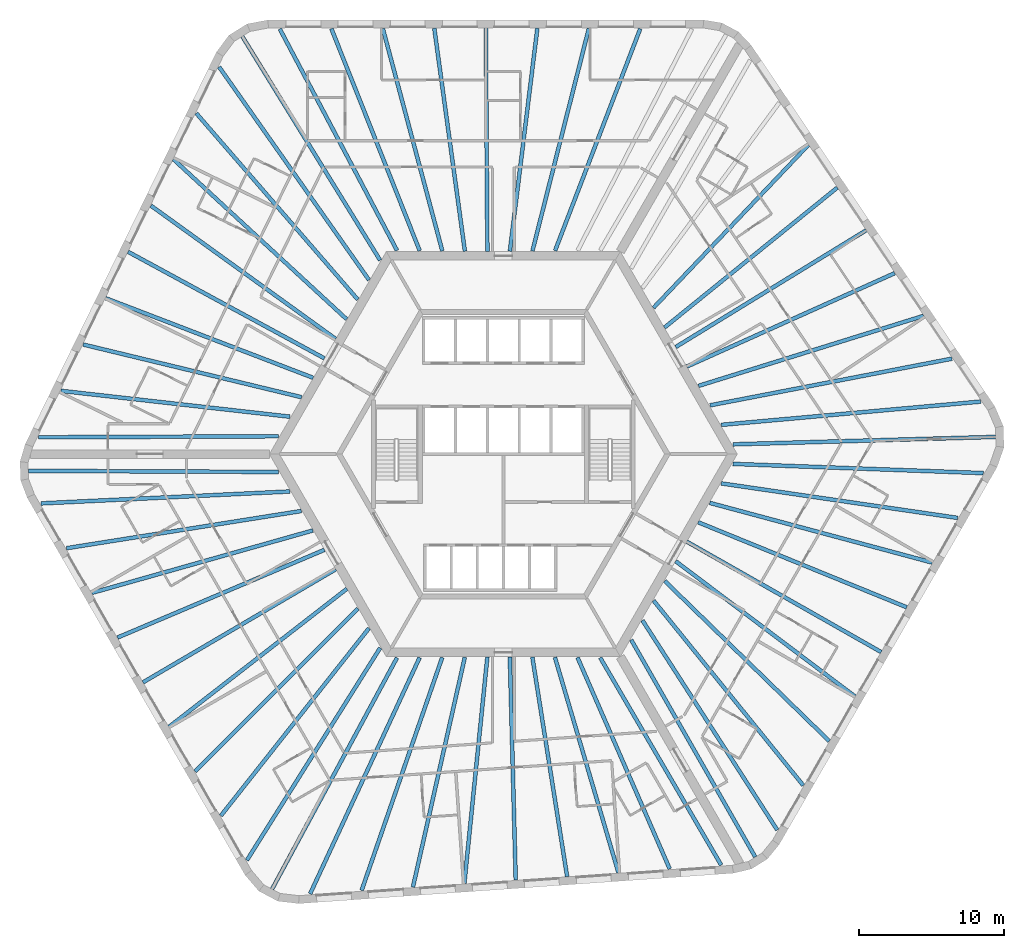
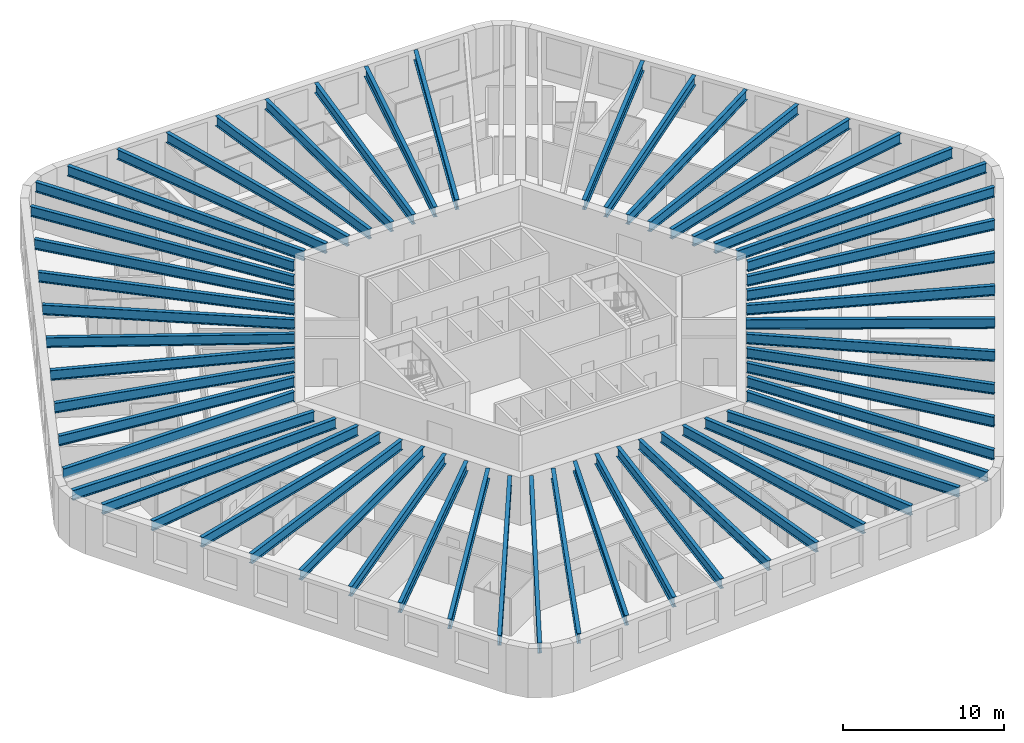
# One storey, part 1 of 12: 56 beams.
"""IFC4 building model written with IfcOpenShell, lengths in metres."""

from ifc_helpers import new_model, si_unit, direction, frame, origin, origin_2d, place, context, subcontext, project, spatial, i_section, extrude, material, material_profile, profile_set, type_object, element, save


model = new_model("IFC4")

# Units and contexts
model_context = context("Model", 3, precision=1e-05, world=origin(), true_north=direction((0.0, 1.0)))
body_context = subcontext(model_context, "Body", "Model", "MODEL_VIEW")
ifc_project = project(units=[si_unit("LENGTHUNIT", "METRE"), si_unit("AREAUNIT", "SQUARE_METRE"), si_unit("VOLUMEUNIT", "CUBIC_METRE"), si_unit("PLANEANGLEUNIT", "RADIAN"), si_unit("MASSUNIT", "GRAM", prefix="KILO")], contexts=[model_context])

# Site, building, storey
site_placement = place(None, origin())
site = spatial("IfcSite", under=ifc_project, at=site_placement, CompositionType="ELEMENT")
building_placement = place(site_placement, origin())
building = spatial("IfcBuilding", under=site, at=building_placement, Name="Tarnside Tower", CompositionType="ELEMENT")
storey_placement = place(building_placement, frame((0.0, 0.0, 142.800048828125)))
storey = spatial("IfcBuildingStorey", under=building, at=storey_placement, Name="L33", CompositionType="ELEMENT", Elevation=142.800048828125)

# Beams
ifc_material = material(Name="Steel S355", Category="steel")
ifc_material_profile_1 = material_profile(ifc_material, i_section(OverallWidth=0.26513671875, OverallDepth=0.75390625, WebThickness=0.0126953125, FlangeThickness=0.017578125, FilletRadius=0.0166015625, at=origin_2d()), Name="UB 762x267x147")
ifc_profile_set_1 = profile_set([ifc_material_profile_1], Name="Steel S355")
beam_type_1 = type_object("IfcBeamType", Name="Floor beam UB 762x267x147", PredefinedType="BEAM", material=ifc_profile_set_1)
beam_1_placement = place(storey_placement, frame((2.3525390625, 29.43017578125, 3.222900390625), z_axis=(-0.122329629165, -0.992489527314, 0.0), x_axis=(0.992489527314, -0.122329629165, 0.0)))
element("IfcBeam", 1, at=beam_1_placement, inside=storey, type_object=beam_type_1, Name="Floor beam F1.04", PredefinedType="BEAM", context=body_context, shape_type="SweptSolid", body=[
    extrude(i_section(OverallWidth=0.26513671875, OverallDepth=0.75390625, WebThickness=0.0126953125, FlangeThickness=0.017578125, FilletRadius=0.0166015625, at=origin_2d()), origin(), (0.0, 0.0, 1.0), 15.527099609375),
])
beam_2_placement = place(storey_placement, frame((-1.208984375, 29.449951171875, 3.222900390625), z_axis=(0.007000128723, -0.999975498799, 0.0), x_axis=(0.999975498799, 0.007000128723, 0.0)))
element("IfcBeam", 2, at=beam_2_placement, inside=storey, type_object=beam_type_1, Name="Floor beam F1.05", PredefinedType="BEAM", context=body_context, shape_type="SweptSolid", body=[
    extrude(i_section(OverallWidth=0.26513671875, OverallDepth=0.75390625, WebThickness=0.0126953125, FlangeThickness=0.017578125, FilletRadius=0.0166015625, at=origin_2d()), origin(), (0.0, 0.0, 1.0), 15.450439453125),
])
beam_3_placement = place(storey_placement, frame((-4.7705078125, 29.43017578125, 3.222900390625), z_axis=(0.136000560933, -0.990708760144, 0.0), x_axis=(0.990708760144, 0.136000560933, 0.0)))
element("IfcBeam", 3, at=beam_3_placement, inside=storey, type_object=beam_type_1, Name="Floor beam F1.06", PredefinedType="BEAM", context=body_context, shape_type="SweptSolid", body=[
    extrude(i_section(OverallWidth=0.26513671875, OverallDepth=0.75390625, WebThickness=0.0126953125, FlangeThickness=0.017578125, FilletRadius=0.0166015625, at=origin_2d()), origin(), (0.0, 0.0, 1.0), 15.554931640625),
])
beam_4_placement = place(storey_placement, frame((-24.348876953125, 17.168212890625, 3.222900390625), z_axis=(0.811027744825, -0.585007689799, 0.0), x_axis=(0.585007689799, 0.811027744825, 0.0)))
element("IfcBeam", 4, at=beam_4_placement, inside=storey, type_object=beam_type_1, Name="Floor beam F2.04", PredefinedType="BEAM", context=body_context, shape_type="SweptSolid", body=[
    extrude(i_section(OverallWidth=0.26513671875, OverallDepth=0.75390625, WebThickness=0.0126953125, FlangeThickness=0.017578125, FilletRadius=0.0166015625, at=origin_2d()), origin(), (0.0, 0.0, 1.0), 15.731689453125),
])
beam_5_placement = place(storey_placement, frame((-25.92626953125, 13.978271484375, 3.222900390625), z_axis=(0.878894567679, -0.477016078245, 0.0), x_axis=(0.477016078245, 0.878894567679, 0.0)))
element("IfcBeam", 5, at=beam_5_placement, inside=storey, type_object=beam_type_1, Name="Floor beam F2.05", PredefinedType="BEAM", context=body_context, shape_type="SweptSolid", body=[
    extrude(i_section(OverallWidth=0.26513671875, OverallDepth=0.75390625, WebThickness=0.0126953125, FlangeThickness=0.017578125, FilletRadius=0.0166015625, at=origin_2d()), origin(), (0.0, 0.0, 1.0), 15.427490234375),
])
beam_6_placement = place(storey_placement, frame((-27.487548828125, 10.77734375, 3.222900390625), z_axis=(0.933617702452, -0.358270827264, 0.0), x_axis=(0.358270827264, 0.933617702452, 0.0)))
element("IfcBeam", 6, at=beam_6_placement, inside=storey, type_object=beam_type_1, Name="Floor beam F2.06", PredefinedType="BEAM", context=body_context, shape_type="SweptSolid", body=[
    extrude(i_section(OverallWidth=0.26513671875, OverallDepth=0.75390625, WebThickness=0.0126953125, FlangeThickness=0.017578125, FilletRadius=0.0166015625, at=origin_2d()), origin(), (0.0, 0.0, 1.0), 15.363037109375),
])
beam_7_placement = place(storey_placement, frame((-29.029296875, 7.572509765625, 3.222900390625), z_axis=(0.972101750991, -0.234559556873, 0.0), x_axis=(0.234559556873, 0.972101750991, 0.0)))
element("IfcBeam", 7, at=beam_7_placement, inside=storey, type_object=beam_type_1, Name="Floor beam F2.07", PredefinedType="BEAM", context=body_context, shape_type="SweptSolid", body=[
    extrude(i_section(OverallWidth=0.26513671875, OverallDepth=0.75390625, WebThickness=0.0126953125, FlangeThickness=0.017578125, FilletRadius=0.0166015625, at=origin_2d()), origin(), (0.0, 0.0, 1.0), 15.522216796875),
])
beam_8_placement = place(storey_placement, frame((-26.66357421875, -12.677734375, 3.222900390625), z_axis=(0.920684021494, 0.390308765679, 0.0), x_axis=(-0.390308765679, 0.920684021494, 0.0)))
element("IfcBeam", 8, at=beam_8_placement, inside=storey, type_object=beam_type_1, Name="Floor beam F3.04", PredefinedType="BEAM", context=body_context, shape_type="SweptSolid", body=[
    extrude(i_section(OverallWidth=0.26513671875, OverallDepth=0.75390625, WebThickness=0.0126953125, FlangeThickness=0.017578125, FilletRadius=0.0166015625, at=origin_2d()), origin(), (0.0, 0.0, 1.0), 15.52685546875),
])
beam_9_placement = place(storey_placement, frame((-24.89990234375, -15.772216796875, 3.222900390625), z_axis=(0.862497502004, 0.506061319443, 0.0), x_axis=(-0.506061319443, 0.862497502004, 0.0)))
element("IfcBeam", 9, at=beam_9_placement, inside=storey, type_object=beam_type_1, Name="Floor beam F3.05", PredefinedType="BEAM", context=body_context, shape_type="SweptSolid", body=[
    extrude(i_section(OverallWidth=0.26513671875, OverallDepth=0.75390625, WebThickness=0.0126953125, FlangeThickness=0.017578125, FilletRadius=0.0166015625, at=origin_2d()), origin(), (0.0, 0.0, 1.0), 15.450439453125),
])
beam_10_placement = place(storey_placement, frame((-23.10205078125, -18.846435546875, 3.222900390625), z_axis=(0.789983963813, 0.613127504617, 0.0), x_axis=(-0.613127504617, 0.789983963813, 0.0)))
element("IfcBeam", 10, at=beam_10_placement, inside=storey, type_object=beam_type_1, Name="Floor beam F3.06", PredefinedType="BEAM", context=body_context, shape_type="SweptSolid", body=[
    extrude(i_section(OverallWidth=0.26513671875, OverallDepth=0.75390625, WebThickness=0.0126953125, FlangeThickness=0.017578125, FilletRadius=0.0166015625, at=origin_2d()), origin(), (0.0, 0.0, 1.0), 15.554931640625),
])
beam_11_placement = place(storey_placement, frame((-2.693603515625, -29.6708984375, 3.222900390625), z_axis=(0.101123115756, 0.994873919379, 0.0), x_axis=(-0.994873919379, 0.101123115756, 0.0)))
element("IfcBeam", 11, at=beam_11_placement, inside=storey, type_object=beam_type_1, Name="Floor beam F4.04", PredefinedType="BEAM", context=body_context, shape_type="SweptSolid", body=[
    extrude(i_section(OverallWidth=0.26513671875, OverallDepth=0.75390625, WebThickness=0.0126953125, FlangeThickness=0.017578125, FilletRadius=0.0166015625, at=origin_2d()), origin(), (0.0, 0.0, 1.0), 15.7314453125),
])
beam_12_placement = place(storey_placement, frame((0.857666015625, -29.44189453125, 3.222900390625), z_axis=(-0.026333316788, 0.999653218085, 0.0), x_axis=(-0.999653218085, -0.026333316788, 0.0)))
element("IfcBeam", 12, at=beam_12_placement, inside=storey, type_object=beam_type_1, Name="Floor beam F4.05", PredefinedType="BEAM", context=body_context, shape_type="SweptSolid", body=[
    extrude(i_section(OverallWidth=0.26513671875, OverallDepth=0.75390625, WebThickness=0.0126953125, FlangeThickness=0.017578125, FilletRadius=0.0166015625, at=origin_2d()), origin(), (0.0, 0.0, 1.0), 15.42724609375),
])
beam_13_placement = place(storey_placement, frame((4.41015625, -29.193603515625, 3.222900390625), z_axis=(-0.156513375907, 0.98767583911, 0.0), x_axis=(-0.98767583911, -0.156513375907, 0.0)))
element("IfcBeam", 13, at=beam_13_placement, inside=storey, type_object=beam_type_1, Name="Floor beam F4.06", PredefinedType="BEAM", context=body_context, shape_type="SweptSolid", body=[
    extrude(i_section(OverallWidth=0.26513671875, OverallDepth=0.75390625, WebThickness=0.0126953125, FlangeThickness=0.017578125, FilletRadius=0.0166015625, at=origin_2d()), origin(), (0.0, 0.0, 1.0), 15.36328125),
])
beam_14_placement = place(storey_placement, frame((7.956787109375, -28.926513671875, 3.222900390625), z_axis=(-0.282920694328, 0.959143305623, 0.0), x_axis=(-0.959143305623, -0.282920694328, 0.0)))
element("IfcBeam", 14, at=beam_14_placement, inside=storey, type_object=beam_type_1, Name="Floor beam F4.07", PredefinedType="BEAM", context=body_context, shape_type="SweptSolid", body=[
    extrude(i_section(OverallWidth=0.26513671875, OverallDepth=0.75390625, WebThickness=0.0126953125, FlangeThickness=0.017578125, FilletRadius=0.0166015625, at=origin_2d()), origin(), (0.0, 0.0, 1.0), 15.5224609375),
])
beam_15_placement = place(storey_placement, frame((24.31103515625, -16.75244140625, 3.222900390625), z_axis=(-0.798361152727, 0.602178935049, 0.0), x_axis=(-0.602178935049, -0.798361152727, 0.0)))
element("IfcBeam", 15, at=beam_15_placement, inside=storey, type_object=beam_type_1, Name="Floor beam F5.04", PredefinedType="BEAM", context=body_context, shape_type="SweptSolid", body=[
    extrude(i_section(OverallWidth=0.26513671875, OverallDepth=0.75390625, WebThickness=0.0126953125, FlangeThickness=0.017578125, FilletRadius=0.0166015625, at=origin_2d()), origin(), (0.0, 0.0, 1.0), 15.527099609375),
])
beam_16_placement = place(storey_placement, frame((26.10888671875, -13.677978515625, 3.222900390625), z_axis=(-0.869502520992, 0.493928502911, 0.0), x_axis=(-0.493928502911, -0.869502520992, 0.0)))
element("IfcBeam", 16, at=beam_16_placement, inside=storey, type_object=beam_type_1, Name="Floor beam F5.05", PredefinedType="BEAM", context=body_context, shape_type="SweptSolid", body=[
    extrude(i_section(OverallWidth=0.26513671875, OverallDepth=0.75390625, WebThickness=0.0126953125, FlangeThickness=0.017578125, FilletRadius=0.0166015625, at=origin_2d()), origin(), (0.0, 0.0, 1.0), 15.4501953125),
])
beam_17_placement = place(storey_placement, frame((27.87255859375, -10.58349609375, 3.222900390625), z_axis=(-0.925981621163, 0.377568586177, 0.0), x_axis=(-0.377568586177, -0.925981621163, 0.0)))
element("IfcBeam", 17, at=beam_17_placement, inside=storey, type_object=beam_type_1, Name="Floor beam F5.06", PredefinedType="BEAM", context=body_context, shape_type="SweptSolid", body=[
    extrude(i_section(OverallWidth=0.26513671875, OverallDepth=0.75390625, WebThickness=0.0126953125, FlangeThickness=0.017578125, FilletRadius=0.0166015625, at=origin_2d()), origin(), (0.0, 0.0, 1.0), 15.554931640625),
])
beam_18_placement = place(storey_placement, frame((27.04248046875, 12.502685546875, 3.222900390625), z_axis=(-0.912146413919, -0.409864513681, 0.0), x_axis=(0.409864513681, -0.912146413919, 0.0)))
element("IfcBeam", 18, at=beam_18_placement, inside=storey, type_object=beam_type_1, Name="Floor beam F6.04", PredefinedType="BEAM", context=body_context, shape_type="SweptSolid", body=[
    extrude(i_section(OverallWidth=0.26513671875, OverallDepth=0.75390625, WebThickness=0.0126953125, FlangeThickness=0.017578125, FilletRadius=0.0166015625, at=origin_2d()), origin(), (0.0, 0.0, 1.0), 15.7314453125),
])
beam_19_placement = place(storey_placement, frame((25.068603515625, 15.463623046875, 3.222900390625), z_axis=(-0.852558490017, -0.522631821744, 0.0), x_axis=(0.522631821744, -0.852558490017, 0.0)))
element("IfcBeam", 19, at=beam_19_placement, inside=storey, type_object=beam_type_1, Name="Floor beam F6.05", PredefinedType="BEAM", context=body_context, shape_type="SweptSolid", body=[
    extrude(i_section(OverallWidth=0.26513671875, OverallDepth=0.75390625, WebThickness=0.0126953125, FlangeThickness=0.017578125, FilletRadius=0.0166015625, at=origin_2d()), origin(), (0.0, 0.0, 1.0), 15.42724609375),
])
beam_20_placement = place(storey_placement, frame((23.0771484375, 18.416259765625, 3.222900390625), z_axis=(-0.777079423039, -0.629402550272, 0.0), x_axis=(0.629402550272, -0.777079423039, 0.0)))
element("IfcBeam", 20, at=beam_20_placement, inside=storey, type_object=beam_type_1, Name="Floor beam F6.06", PredefinedType="BEAM", context=body_context, shape_type="SweptSolid", body=[
    extrude(i_section(OverallWidth=0.26513671875, OverallDepth=0.75390625, WebThickness=0.0126953125, FlangeThickness=0.017578125, FilletRadius=0.0166015625, at=origin_2d()), origin(), (0.0, 0.0, 1.0), 15.36328125),
])
beam_21_placement = place(storey_placement, frame((21.072509765625, 21.35400390625, 3.222900390625), z_axis=(-0.689174694318, -0.724595225427, 0.0), x_axis=(0.724595225427, -0.689174694318, 0.0)))
element("IfcBeam", 21, at=beam_21_placement, inside=storey, type_object=beam_type_1, Name="Floor beam F6.07", PredefinedType="BEAM", context=body_context, shape_type="SweptSolid", body=[
    extrude(i_section(OverallWidth=0.26513671875, OverallDepth=0.75390625, WebThickness=0.0126953125, FlangeThickness=0.017578125, FilletRadius=0.0166015625, at=origin_2d()), origin(), (0.0, 0.0, 1.0), 15.522216796875),
])
ifc_material_profile_2 = material_profile(ifc_material, i_section(OverallWidth=0.2666015625, OverallDepth=0.76220703125, WebThickness=0.014404296875, FlangeThickness=0.021484375, FilletRadius=0.0166015625, at=origin_2d()), Name="UB 762x267x173")
ifc_profile_set_2 = profile_set([ifc_material_profile_2], Name="Steel S355")
beam_type_2 = type_object("IfcBeamType", Name="Floor beam UB 762x267x173", PredefinedType="BEAM", material=ifc_profile_set_2)
beam_22_placement = place(storey_placement, frame((9.4619140625, 29.39404296875, 3.21875), z_axis=(-0.358299847269, -0.933606565662, 0.0), x_axis=(0.933606565662, -0.358299847269, 0.0)))
element("IfcBeam", 22, at=beam_22_placement, inside=storey, type_object=beam_type_2, Name="Floor beam F1.02", PredefinedType="BEAM", context=body_context, shape_type="SweptSolid", body=[
    extrude(i_section(OverallWidth=0.2666015625, OverallDepth=0.76220703125, WebThickness=0.014404296875, FlangeThickness=0.021484375, FilletRadius=0.0166015625, at=origin_2d()), origin(), (0.0, 0.0, 1.0), 16.428955078125),
])
beam_23_placement = place(storey_placement, frame((5.909423828125, 29.4111328125, 3.21875), z_axis=(-0.245747281389, -0.969333933013, 0.0), x_axis=(0.969333933013, -0.245747281389, 0.0)))
element("IfcBeam", 23, at=beam_23_placement, inside=storey, type_object=beam_type_2, Name="Floor beam F1.03", PredefinedType="BEAM", context=body_context, shape_type="SweptSolid", body=[
    extrude(i_section(OverallWidth=0.2666015625, OverallDepth=0.76220703125, WebThickness=0.014404296875, FlangeThickness=0.021484375, FilletRadius=0.0166015625, at=origin_2d()), origin(), (0.0, 0.0, 1.0), 15.858642578125),
])
beam_24_placement = place(storey_placement, frame((-8.3271484375, 29.411376953125, 3.21875), z_axis=(0.258447478572, -0.966025310652, 0.0), x_axis=(0.966025310652, 0.258447478572, 0.0)))
element("IfcBeam", 24, at=beam_24_placement, inside=storey, type_object=beam_type_2, Name="Floor beam F1.07", PredefinedType="BEAM", context=body_context, shape_type="SweptSolid", body=[
    extrude(i_section(OverallWidth=0.2666015625, OverallDepth=0.76220703125, WebThickness=0.014404296875, FlangeThickness=0.021484375, FilletRadius=0.0166015625, at=origin_2d()), origin(), (0.0, 0.0, 1.0), 15.91357421875),
])
beam_25_placement = place(storey_placement, frame((-11.87939453125, 29.394287109375, 3.21875), z_axis=(0.369638204477, -0.929175762593, 0.0), x_axis=(0.929175762593, 0.369638204477, 0.0)))
element("IfcBeam", 25, at=beam_25_placement, inside=storey, type_object=beam_type_2, Name="Floor beam F1.08", PredefinedType="BEAM", context=body_context, shape_type="SweptSolid", body=[
    extrude(i_section(OverallWidth=0.2666015625, OverallDepth=0.76220703125, WebThickness=0.014404296875, FlangeThickness=0.021484375, FilletRadius=0.0166015625, at=origin_2d()), origin(), (0.0, 0.0, 1.0), 16.507568359375),
])
beam_26_placement = place(storey_placement, frame((-15.44580078125, 29.37939453125, 3.21875), z_axis=(0.467741993634, -0.883865050441, 0.0), x_axis=(0.883865050441, 0.467741993634, 0.0)))
element("IfcBeam", 26, at=beam_26_placement, inside=storey, type_object=beam_type_2, Name="Floor beam F1.09", PredefinedType="BEAM", context=body_context, shape_type="SweptSolid", body=[
    extrude(i_section(OverallWidth=0.2666015625, OverallDepth=0.76220703125, WebThickness=0.014404296875, FlangeThickness=0.021484375, FilletRadius=0.0166015625, at=origin_2d()), origin(), (0.0, 0.0, 1.0), 17.320068359375),
])
beam_27_placement = place(storey_placement, frame((-18.042236328125, 28.8701171875, 3.21875), z_axis=(0.524382977035, -0.851482526771, 0.0), x_axis=(0.851482526771, 0.524382977035, 0.0)))
element("IfcBeam", 27, at=beam_27_placement, inside=storey, type_object=beam_type_2, Name="Floor beam C1", PredefinedType="BEAM", context=body_context, shape_type="SweptSolid", body=[
    extrude(i_section(OverallWidth=0.2666015625, OverallDepth=0.76220703125, WebThickness=0.014404296875, FlangeThickness=0.021484375, FilletRadius=0.0166015625, at=origin_2d()), origin(), (0.0, 0.0, 1.0), 18.1728515625),
])
beam_28_placement = place(storey_placement, frame((-19.638671875, 26.75537109375, 3.21875), z_axis=(0.575411427849, -0.817864101609, 0.0), x_axis=(0.817864101609, 0.575411427849, 0.0)))
element("IfcBeam", 28, at=beam_28_placement, inside=storey, type_object=beam_type_2, Name="Floor beam F2.01", PredefinedType="BEAM", context=body_context, shape_type="SweptSolid", body=[
    extrude(i_section(OverallWidth=0.2666015625, OverallDepth=0.76220703125, WebThickness=0.014404296875, FlangeThickness=0.021484375, FilletRadius=0.0166015625, at=origin_2d()), origin(), (0.0, 0.0, 1.0), 18.00048828125),
])
beam_29_placement = place(storey_placement, frame((-21.21630859375, 23.554931640625, 3.21875), z_axis=(0.654980748073, -0.755645564834, 0.0), x_axis=(0.755645564834, 0.654980748073, 0.0)))
element("IfcBeam", 29, at=beam_29_placement, inside=storey, type_object=beam_type_2, Name="Floor beam F2.02", PredefinedType="BEAM", context=body_context, shape_type="SweptSolid", body=[
    extrude(i_section(OverallWidth=0.2666015625, OverallDepth=0.76220703125, WebThickness=0.014404296875, FlangeThickness=0.021484375, FilletRadius=0.0166015625, at=origin_2d()), origin(), (0.0, 0.0, 1.0), 17.0302734375),
])
beam_30_placement = place(storey_placement, frame((-22.7890625, 20.368408203125, 3.21875), z_axis=(0.734715474517, -0.678375391288, 0.0), x_axis=(0.678375391288, 0.734715474517, 0.0)))
element("IfcBeam", 30, at=beam_30_placement, inside=storey, type_object=beam_type_2, Name="Floor beam F2.03", PredefinedType="BEAM", context=body_context, shape_type="SweptSolid", body=[
    extrude(i_section(OverallWidth=0.2666015625, OverallDepth=0.76220703125, WebThickness=0.014404296875, FlangeThickness=0.021484375, FilletRadius=0.0166015625, at=origin_2d()), origin(), (0.0, 0.0, 1.0), 16.2802734375),
])
beam_31_placement = place(storey_placement, frame((-30.570556640625, 4.372802734375, 3.21875), z_axis=(0.993687302776, -0.112185312326, 0.0), x_axis=(0.112185312326, 0.993687302776, 0.0)))
element("IfcBeam", 31, at=beam_31_placement, inside=storey, type_object=beam_type_2, Name="Floor beam F2.08", PredefinedType="BEAM", context=body_context, shape_type="SweptSolid", body=[
    extrude(i_section(OverallWidth=0.2666015625, OverallDepth=0.76220703125, WebThickness=0.014404296875, FlangeThickness=0.021484375, FilletRadius=0.0166015625, at=origin_2d()), origin(), (0.0, 0.0, 1.0), 15.934326171875),
])
beam_32_placement = place(storey_placement, frame((-32.119384765625, 1.162109375, 3.21875), z_axis=(0.999990508787, 0.004356872304, 0.0), x_axis=(-0.004356872304, 0.999990508787, 0.0)))
element("IfcBeam", 32, at=beam_32_placement, inside=storey, type_object=beam_type_2, Name="Floor beam F2.09", PredefinedType="BEAM", context=body_context, shape_type="SweptSolid", body=[
    extrude(i_section(OverallWidth=0.2666015625, OverallDepth=0.76220703125, WebThickness=0.014404296875, FlangeThickness=0.021484375, FilletRadius=0.0166015625, at=origin_2d()), origin(), (0.0, 0.0, 1.0), 16.586669921875),
])
beam_33_placement = place(storey_placement, frame((-32.80712890625, -1.1572265625, 3.21875), z_axis=(0.999990027056, -0.004466070929, 0.0), x_axis=(0.004466070929, 0.999990027056, 0.0)))
element("IfcBeam", 33, at=beam_33_placement, inside=storey, type_object=beam_type_2, Name="Floor beam C2", PredefinedType="BEAM", context=body_context, shape_type="SweptSolid", body=[
    extrude(i_section(OverallWidth=0.2666015625, OverallDepth=0.76220703125, WebThickness=0.014404296875, FlangeThickness=0.021484375, FilletRadius=0.0166015625, at=origin_2d()), origin(), (0.0, 0.0, 1.0), 17.2744140625),
])
beam_34_placement = place(storey_placement, frame((-31.95703125, -3.406494140625, 3.21875), z_axis=(0.998853818522, 0.047864905982, 0.0), x_axis=(-0.047864905982, 0.998853818522, 0.0)))
element("IfcBeam", 34, at=beam_34_placement, inside=storey, type_object=beam_type_2, Name="Floor beam F3.01", PredefinedType="BEAM", context=body_context, shape_type="SweptSolid", body=[
    extrude(i_section(OverallWidth=0.2666015625, OverallDepth=0.76220703125, WebThickness=0.014404296875, FlangeThickness=0.021484375, FilletRadius=0.0166015625, at=origin_2d()), origin(), (0.0, 0.0, 1.0), 17.2197265625),
])
beam_35_placement = place(storey_placement, frame((-30.18701171875, -6.502685546875, 3.21875), z_axis=(0.987678477078, 0.156496728136, 0.0), x_axis=(-0.156496728136, 0.987678477078, 0.0)))
element("IfcBeam", 35, at=beam_35_placement, inside=storey, type_object=beam_type_2, Name="Floor beam F3.02", PredefinedType="BEAM", context=body_context, shape_type="SweptSolid", body=[
    extrude(i_section(OverallWidth=0.2666015625, OverallDepth=0.76220703125, WebThickness=0.014404296875, FlangeThickness=0.021484375, FilletRadius=0.0166015625, at=origin_2d()), origin(), (0.0, 0.0, 1.0), 16.4287109375),
])
beam_36_placement = place(storey_placement, frame((-28.425537109375, -9.587890625, 3.21875), z_axis=(0.962342240503, 0.271840784547, 0.0), x_axis=(-0.271840784547, 0.962342240503, 0.0)))
element("IfcBeam", 36, at=beam_36_placement, inside=storey, type_object=beam_type_2, Name="Floor beam F3.03", PredefinedType="BEAM", context=body_context, shape_type="SweptSolid", body=[
    extrude(i_section(OverallWidth=0.2666015625, OverallDepth=0.76220703125, WebThickness=0.014404296875, FlangeThickness=0.021484375, FilletRadius=0.0166015625, at=origin_2d()), origin(), (0.0, 0.0, 1.0), 15.858642578125),
])
beam_37_placement = place(storey_placement, frame((-21.307373046875, -21.917236328125, 3.21875), z_axis=(0.707367544857, 0.706845921318, 0.0), x_axis=(-0.706845921318, 0.707367544857, 0.0)))
element("IfcBeam", 37, at=beam_37_placement, inside=storey, type_object=beam_type_2, Name="Floor beam F3.07", PredefinedType="BEAM", context=body_context, shape_type="SweptSolid", body=[
    extrude(i_section(OverallWidth=0.2666015625, OverallDepth=0.76220703125, WebThickness=0.014404296875, FlangeThickness=0.021484375, FilletRadius=0.0166015625, at=origin_2d()), origin(), (0.0, 0.0, 1.0), 15.913330078125),
])
beam_38_placement = place(storey_placement, frame((-19.516357421875, -24.985107421875, 3.21875), z_axis=(0.619872995007, 0.784702153725, 0.0), x_axis=(-0.784702153725, 0.619872995007, 0.0)))
element("IfcBeam", 38, at=beam_38_placement, inside=storey, type_object=beam_type_2, Name="Floor beam F3.08", PredefinedType="BEAM", context=body_context, shape_type="SweptSolid", body=[
    extrude(i_section(OverallWidth=0.2666015625, OverallDepth=0.76220703125, WebThickness=0.014404296875, FlangeThickness=0.021484375, FilletRadius=0.0166015625, at=origin_2d()), origin(), (0.0, 0.0, 1.0), 16.507568359375),
])
beam_39_placement = place(storey_placement, frame((-17.72021484375, -28.066162109375, 3.21875), z_axis=(0.531583085704, 0.847006152866, 0.0), x_axis=(-0.847006152866, 0.531583085704, 0.0)))
element("IfcBeam", 39, at=beam_39_placement, inside=storey, type_object=beam_type_2, Name="Floor beam F3.09", PredefinedType="BEAM", context=body_context, shape_type="SweptSolid", body=[
    extrude(i_section(OverallWidth=0.2666015625, OverallDepth=0.76220703125, WebThickness=0.014404296875, FlangeThickness=0.021484375, FilletRadius=0.0166015625, at=origin_2d()), origin(), (0.0, 0.0, 1.0), 17.320068359375),
])
beam_40_placement = place(storey_placement, frame((-15.981201171875, -30.060302734375, 3.21875), z_axis=(0.475208200571, 0.879873380726, 0.0), x_axis=(-0.879873380726, 0.475208200571, 0.0)))
element("IfcBeam", 40, at=beam_40_placement, inside=storey, type_object=beam_type_2, Name="Floor beam C3", PredefinedType="BEAM", context=body_context, shape_type="SweptSolid", body=[
    extrude(i_section(OverallWidth=0.2666015625, OverallDepth=0.76220703125, WebThickness=0.014404296875, FlangeThickness=0.021484375, FilletRadius=0.0166015625, at=origin_2d()), origin(), (0.0, 0.0, 1.0), 18.173095703125),
])
beam_41_placement = place(storey_placement, frame((-13.3515625, -30.38525390625, 3.21875), z_axis=(0.42059199668, 0.907249895193, 0.0), x_axis=(-0.907249895193, 0.42059199668, 0.0)))
element("IfcBeam", 41, at=beam_41_placement, inside=storey, type_object=beam_type_2, Name="Floor beam F4.01", PredefinedType="BEAM", context=body_context, shape_type="SweptSolid", body=[
    extrude(i_section(OverallWidth=0.2666015625, OverallDepth=0.76220703125, WebThickness=0.014404296875, FlangeThickness=0.021484375, FilletRadius=0.0166015625, at=origin_2d()), origin(), (0.0, 0.0, 1.0), 18.000244140625),
])
beam_42_placement = place(storey_placement, frame((-9.791015625, -30.151123046875, 3.21875), z_axis=(0.326912128872, 0.945054739153, 0.0), x_axis=(-0.945054739153, 0.326912128872, 0.0)))
element("IfcBeam", 42, at=beam_42_placement, inside=storey, type_object=beam_type_2, Name="Floor beam F4.02", PredefinedType="BEAM", context=body_context, shape_type="SweptSolid", body=[
    extrude(i_section(OverallWidth=0.2666015625, OverallDepth=0.76220703125, WebThickness=0.014404296875, FlangeThickness=0.021484375, FilletRadius=0.0166015625, at=origin_2d()), origin(), (0.0, 0.0, 1.0), 17.0302734375),
])
beam_43_placement = place(storey_placement, frame((-6.2451171875, -29.920166015625, 3.21875), z_axis=(0.220139818673, 0.975468328668, 0.0), x_axis=(-0.975468328668, 0.220139818673, 0.0)))
element("IfcBeam", 43, at=beam_43_placement, inside=storey, type_object=beam_type_2, Name="Floor beam F4.03", PredefinedType="BEAM", context=body_context, shape_type="SweptSolid", body=[
    extrude(i_section(OverallWidth=0.2666015625, OverallDepth=0.76220703125, WebThickness=0.014404296875, FlangeThickness=0.021484375, FilletRadius=0.0166015625, at=origin_2d()), origin(), (0.0, 0.0, 1.0), 16.280517578125),
])
beam_44_placement = place(storey_placement, frame((11.498291015625, -28.6611328125, 3.21875), z_axis=(-0.399695682658, 0.916647893831, 0.0), x_axis=(-0.916647893831, -0.399695682658, 0.0)))
element("IfcBeam", 44, at=beam_44_placement, inside=storey, type_object=beam_type_2, Name="Floor beam F4.08", PredefinedType="BEAM", context=body_context, shape_type="SweptSolid", body=[
    extrude(i_section(OverallWidth=0.2666015625, OverallDepth=0.76220703125, WebThickness=0.014404296875, FlangeThickness=0.021484375, FilletRadius=0.0166015625, at=origin_2d()), origin(), (0.0, 0.0, 1.0), 15.934326171875),
])
beam_45_placement = place(storey_placement, frame((15.05322265625, -28.3974609375, 3.21875), z_axis=(-0.503758455062, 0.86384455717, 0.0), x_axis=(-0.86384455717, -0.503758455062, 0.0)))
element("IfcBeam", 45, at=beam_45_placement, inside=storey, type_object=beam_type_2, Name="Floor beam F4.09", PredefinedType="BEAM", context=body_context, shape_type="SweptSolid", body=[
    extrude(i_section(OverallWidth=0.2666015625, OverallDepth=0.76220703125, WebThickness=0.014404296875, FlangeThickness=0.021484375, FilletRadius=0.0166015625, at=origin_2d()), origin(), (0.0, 0.0, 1.0), 16.586669921875),
])
beam_46_placement = place(storey_placement, frame((17.40576171875, -27.833251953125, 3.21875), z_axis=(-0.496126762138, 0.868250099851, 0.0), x_axis=(-0.868250099851, -0.496126762138, 0.0)))
element("IfcBeam", 46, at=beam_46_placement, inside=storey, type_object=beam_type_2, Name="Floor beam C4", PredefinedType="BEAM", context=body_context, shape_type="SweptSolid", body=[
    extrude(i_section(OverallWidth=0.2666015625, OverallDepth=0.76220703125, WebThickness=0.014404296875, FlangeThickness=0.021484375, FilletRadius=0.0166015625, at=origin_2d()), origin(), (0.0, 0.0, 1.0), 17.2744140625),
])
beam_47_placement = place(storey_placement, frame((18.9287109375, -25.972412109375, 3.21875), z_axis=(-0.540872954463, 0.841104302171, 0.0), x_axis=(-0.841104302171, -0.540872954463, 0.0)))
element("IfcBeam", 47, at=beam_47_placement, inside=storey, type_object=beam_type_2, Name="Floor beam F5.01", PredefinedType="BEAM", context=body_context, shape_type="SweptSolid", body=[
    extrude(i_section(OverallWidth=0.2666015625, OverallDepth=0.76220703125, WebThickness=0.014404296875, FlangeThickness=0.021484375, FilletRadius=0.0166015625, at=origin_2d()), origin(), (0.0, 0.0, 1.0), 17.2197265625),
])
beam_48_placement = place(storey_placement, frame((20.72509765625, -22.89111328125, 3.21875), z_axis=(-0.62939015525, 0.777089462336, 0.0), x_axis=(-0.777089462336, -0.62939015525, 0.0)))
element("IfcBeam", 48, at=beam_48_placement, inside=storey, type_object=beam_type_2, Name="Floor beam F5.02", PredefinedType="BEAM", context=body_context, shape_type="SweptSolid", body=[
    extrude(i_section(OverallWidth=0.2666015625, OverallDepth=0.76220703125, WebThickness=0.014404296875, FlangeThickness=0.021484375, FilletRadius=0.0166015625, at=origin_2d()), origin(), (0.0, 0.0, 1.0), 16.4287109375),
])
beam_49_placement = place(storey_placement, frame((22.51611328125, -19.8232421875, 3.21875), z_axis=(-0.716594696052, 0.697489814686, 0.0), x_axis=(-0.697489814686, -0.716594696052, 0.0)))
element("IfcBeam", 49, at=beam_49_placement, inside=storey, type_object=beam_type_2, Name="Floor beam F5.03", PredefinedType="BEAM", context=body_context, shape_type="SweptSolid", body=[
    extrude(i_section(OverallWidth=0.2666015625, OverallDepth=0.76220703125, WebThickness=0.014404296875, FlangeThickness=0.021484375, FilletRadius=0.0166015625, at=origin_2d()), origin(), (0.0, 0.0, 1.0), 15.858642578125),
])
beam_50_placement = place(storey_placement, frame((29.634521484375, -7.494140625, 3.21875), z_axis=(-0.965827851395, 0.259184415946, 0.0), x_axis=(-0.259184415946, -0.965827851395, 0.0)))
element("IfcBeam", 50, at=beam_50_placement, inside=storey, type_object=beam_type_2, Name="Floor beam F5.07", PredefinedType="BEAM", context=body_context, shape_type="SweptSolid", body=[
    extrude(i_section(OverallWidth=0.2666015625, OverallDepth=0.76220703125, WebThickness=0.014404296875, FlangeThickness=0.021484375, FilletRadius=0.0166015625, at=origin_2d()), origin(), (0.0, 0.0, 1.0), 15.913330078125),
])
beam_51_placement = place(storey_placement, frame((31.39599609375, -4.4091796875, 3.21875), z_axis=(-0.989507887412, 0.144478859177, 0.0), x_axis=(-0.144478859177, -0.989507887412, 0.0)))
element("IfcBeam", 51, at=beam_51_placement, inside=storey, type_object=beam_type_2, Name="Floor beam F5.08", PredefinedType="BEAM", context=body_context, shape_type="SweptSolid", body=[
    extrude(i_section(OverallWidth=0.2666015625, OverallDepth=0.76220703125, WebThickness=0.014404296875, FlangeThickness=0.021484375, FilletRadius=0.0166015625, at=origin_2d()), origin(), (0.0, 0.0, 1.0), 16.507568359375),
])
beam_52_placement = place(storey_placement, frame((33.166259765625, -1.31298828125, 3.21875), z_axis=(-0.999320941149, 0.036846391708, 0.0), x_axis=(-0.036846391708, -0.999320941149, 0.0)))
element("IfcBeam", 52, at=beam_52_placement, inside=storey, type_object=beam_type_2, Name="Floor beam F5.09", PredefinedType="BEAM", context=body_context, shape_type="SweptSolid", body=[
    extrude(i_section(OverallWidth=0.2666015625, OverallDepth=0.76220703125, WebThickness=0.014404296875, FlangeThickness=0.021484375, FilletRadius=0.0166015625, at=origin_2d()), origin(), (0.0, 0.0, 1.0), 17.320068359375),
])
beam_53_placement = place(storey_placement, frame((34.0234375, 1.18994140625, 3.21875), z_axis=(-0.999597013499, -0.028386803343, 0.0), x_axis=(0.028386803343, -0.999597013499, 0.0)))
element("IfcBeam", 53, at=beam_53_placement, inside=storey, type_object=beam_type_2, Name="Floor beam C5", PredefinedType="BEAM", context=body_context, shape_type="SweptSolid", body=[
    extrude(i_section(OverallWidth=0.2666015625, OverallDepth=0.76220703125, WebThickness=0.014404296875, FlangeThickness=0.021484375, FilletRadius=0.0166015625, at=origin_2d()), origin(), (0.0, 0.0, 1.0), 18.1728515625),
])
beam_54_placement = place(storey_placement, frame((32.990234375, 3.6298828125, 3.21875), z_axis=(-0.995997485142, -0.089381259731, 0.0), x_axis=(0.089381259731, -0.995997485142, 0.0)))
element("IfcBeam", 54, at=beam_54_placement, inside=storey, type_object=beam_type_2, Name="Floor beam F6.01", PredefinedType="BEAM", context=body_context, shape_type="SweptSolid", body=[
    extrude(i_section(OverallWidth=0.2666015625, OverallDepth=0.76220703125, WebThickness=0.014404296875, FlangeThickness=0.021484375, FilletRadius=0.0166015625, at=origin_2d()), origin(), (0.0, 0.0, 1.0), 18.000244140625),
])
beam_55_placement = place(storey_placement, frame((31.007080078125, 6.596435546875, 3.21875), z_axis=(-0.981896564922, -0.189417886679, 0.0), x_axis=(0.189417886679, -0.981896564922, 0.0)))
element("IfcBeam", 55, at=beam_55_placement, inside=storey, type_object=beam_type_2, Name="Floor beam F6.02", PredefinedType="BEAM", context=body_context, shape_type="SweptSolid", body=[
    extrude(i_section(OverallWidth=0.2666015625, OverallDepth=0.76220703125, WebThickness=0.014404296875, FlangeThickness=0.021484375, FilletRadius=0.0166015625, at=origin_2d()), origin(), (0.0, 0.0, 1.0), 17.0302734375),
])
beam_56_placement = place(storey_placement, frame((29.0341796875, 9.5517578125, 3.21875), z_axis=(-0.954846945108, -0.297098151152, 0.0), x_axis=(0.297098151152, -0.954846945108, 0.0)))
element("IfcBeam", 56, at=beam_56_placement, inside=storey, type_object=beam_type_2, Name="Floor beam F6.03", PredefinedType="BEAM", context=body_context, shape_type="SweptSolid", body=[
    extrude(i_section(OverallWidth=0.2666015625, OverallDepth=0.76220703125, WebThickness=0.014404296875, FlangeThickness=0.021484375, FilletRadius=0.0166015625, at=origin_2d()), origin(), (0.0, 0.0, 1.0), 16.280517578125),
])

save(model, "model.ifc")
